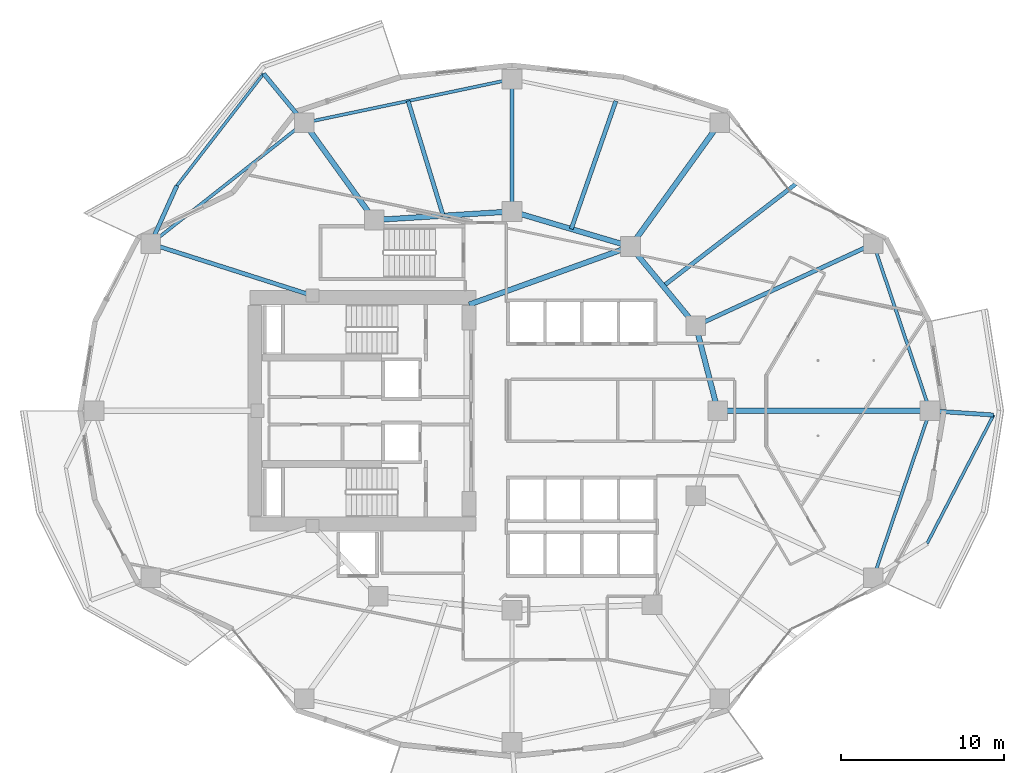
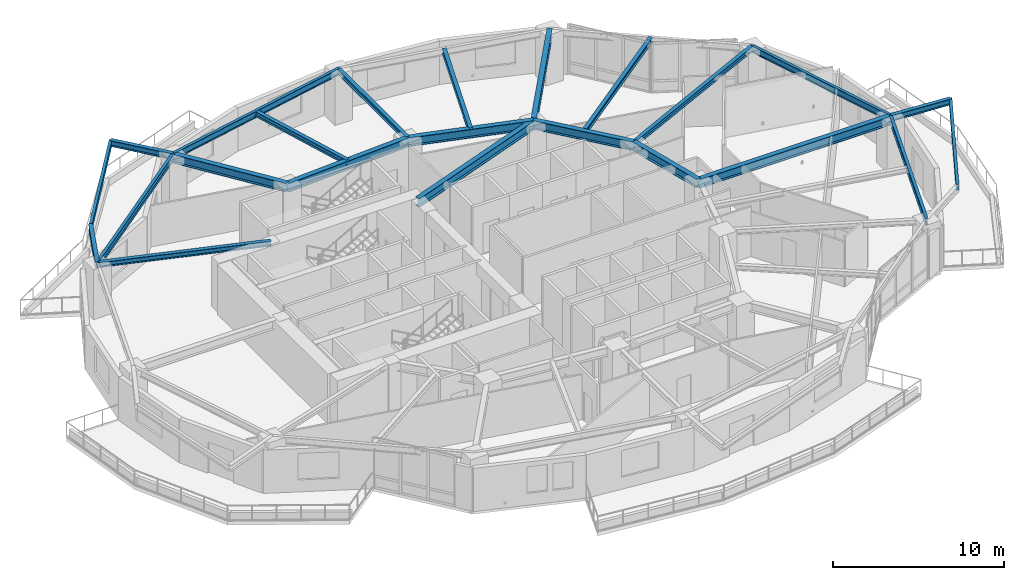
# One storey, part 5 of 18: 23 beams.
"""IFC4 building model written with IfcOpenShell, lengths in metres."""

from ifc_helpers import new_model, si_unit, direction, frame, origin, origin_2d, place, context, subcontext, project, spatial, i_section, extrude, material, material_profile, profile_set, type_object, element, save


model = new_model("IFC4")

# Units and contexts
model_context = context("Model", 3, precision=1e-05, world=origin(), true_north=direction((0.0, 1.0)))
body_context = subcontext(model_context, "Body", "Model", "MODEL_VIEW")
ifc_project = project(units=[si_unit("LENGTHUNIT", "METRE"), si_unit("AREAUNIT", "SQUARE_METRE"), si_unit("VOLUMEUNIT", "CUBIC_METRE"), si_unit("PLANEANGLEUNIT", "RADIAN"), si_unit("MASSUNIT", "GRAM", prefix="KILO")], contexts=[model_context])

# Site, building, storey
site_placement = place(None, origin())
site = spatial("IfcSite", under=ifc_project, at=site_placement, CompositionType="ELEMENT")
building_placement = place(site_placement, origin())
building = spatial("IfcBuilding", under=site, at=building_placement, Name="Kolvaren Gate Tower and Convention Centre", CompositionType="ELEMENT")
storey_placement = place(building_placement, frame((0.0, 0.0, 61.14990234375)))
storey = spatial("IfcBuildingStorey", under=building, at=storey_placement, Name="L14", CompositionType="ELEMENT", Elevation=61.14990234375)

# Beams
ifc_material = material(Name="Structural steel ASTM A992 Grade 345 MPa", Category="steel")
ifc_material_profile_1 = material_profile(ifc_material, i_section(OverallWidth=0.260009765625, OverallDepth=0.419921875, WebThickness=0.013427734375, FlangeThickness=0.0224609375, at=origin_2d()), Name="W410X132")
ifc_profile_set_1 = profile_set([ifc_material_profile_1], Name="Structural steel ASTM A992 Grade 345 MPa")
beam_type_1 = type_object("IfcBeamType", Name="STR-BM-W410X132", PredefinedType="BEAM", material=ifc_profile_set_1)
beam_1_placement = place(storey_placement, frame((17.40380859375, 44.627197265625, 3.360595703125), z_axis=(-0.637082027361, 0.770796010896, 0.0), x_axis=(-0.770796010896, -0.637082027361, 0.0)))
element("IfcBeam", 1, at=beam_1_placement, inside=storey, type_object=beam_type_1, Name="Tower L15 Planted Balcony Outrigger Cantilever BC-1A", PredefinedType="BEAM", context=body_context, shape_type="SweptSolid", body=[
    extrude(i_section(OverallWidth=0.260009765625, OverallDepth=0.419921875, WebThickness=0.013427734375, FlangeThickness=0.0224609375, at=origin_2d()), origin(), (0.0, 0.0, 1.0), 3.89990234375),
])
for number, where, z_axis, x_axis, name in (
    (2, (8.001220703125, 37.218505859375, 3.360595703125), (0.411967423592, 0.911198574351, 0.0), (-0.911198574351, 0.411967423592, 0.0), "Tower L15 Planted Balcony Outrigger Cantilever BC-1B"),
    (3, (55.71240234375, 27.0, 3.360595703125), (0.997745931522, -0.067104814517, 0.0), (0.067104814517, 0.997745931522, 0.0), "Tower L15 Planted Balcony Outrigger Cantilever BC-4B"),
):
    element("IfcBeam", number, at=place(storey_placement, frame(where, z_axis=z_axis, x_axis=x_axis)), inside=storey, type_object=beam_type_1, Name=name, PredefinedType="BEAM", context=body_context, shape_type="SweptSolid", body=[
        extrude(i_section(OverallWidth=0.260009765625, OverallDepth=0.419921875, WebThickness=0.013427734375, FlangeThickness=0.0224609375, at=origin_2d()), origin(), (0.0, 0.0, 1.0), 3.900146484375),
    ])
ifc_material_profile_2 = material_profile(ifc_material, i_section(OverallWidth=0.327880859375, OverallDepth=0.6279296875, WebThickness=0.0166015625, FlangeThickness=0.027587890625, at=origin_2d()), Name="W610X217")
ifc_profile_set_2 = profile_set([ifc_material_profile_2], Name="Structural steel ASTM A992 Grade 345 MPa")
beam_type_2 = type_object("IfcBeamType", Name="STR-BM-W610X217", PredefinedType="BEAM", material=ifc_profile_set_2)
beam_2_placement = place(storey_placement, frame((41.382080078125, 32.199462890625, 3.256103515625), z_axis=(-0.635884066011, 0.771784590798, 0.0), x_axis=(-0.771784590798, -0.635884066011, 0.0)))
element("IfcBeam", 4, at=beam_2_placement, inside=storey, type_object=beam_type_2, Name="Tower L14 Primary Ring Girder G-02", PredefinedType="BEAM", context=body_context, shape_type="SweptSolid", body=[
    extrude(i_section(OverallWidth=0.327880859375, OverallDepth=0.6279296875, WebThickness=0.0166015625, FlangeThickness=0.027587890625, at=origin_2d()), origin(), (0.0, 0.0, 1.0), 6.291259765625),
])
beam_3_placement = place(storey_placement, frame((37.381591796875, 37.054931640625, 3.256103515625), z_axis=(-0.958980837827, 0.283470902706, 0.0), x_axis=(-0.283470902706, -0.958980837827, 0.0)))
element("IfcBeam", 5, at=beam_3_placement, inside=storey, type_object=beam_type_2, Name="Tower L14 Primary Ring Girder G-03", PredefinedType="BEAM", context=body_context, shape_type="SweptSolid", body=[
    extrude(i_section(OverallWidth=0.327880859375, OverallDepth=0.6279296875, WebThickness=0.0166015625, FlangeThickness=0.027587890625, at=origin_2d()), origin(), (0.0, 0.0, 1.0), 7.56689453125),
])
beam_4_placement = place(storey_placement, frame((30.125, 39.199951171875, 3.256103515625), z_axis=(-0.998078258568, -0.06196603726, 0.0), x_axis=(0.06196603726, -0.998078258568, 0.0)))
element("IfcBeam", 6, at=beam_4_placement, inside=storey, type_object=beam_type_2, Name="Tower L14 Primary Ring Girder G-04", PredefinedType="BEAM", context=body_context, shape_type="SweptSolid", body=[
    extrude(i_section(OverallWidth=0.327880859375, OverallDepth=0.6279296875, WebThickness=0.0166015625, FlangeThickness=0.027587890625, at=origin_2d()), origin(), (0.0, 0.0, 1.0), 8.443115234375),
])
beam_5_placement = place(storey_placement, frame((27.5, 33.5, 3.256103515625), z_axis=(0.940961479908, 0.338513653093, 0.0), x_axis=(-0.338513653093, 0.940961479908, 0.0)))
element("IfcBeam", 7, at=beam_5_placement, inside=storey, type_object=beam_type_2, Name="Tower L14 Primary Ring Girder G-10", PredefinedType="BEAM", context=body_context, shape_type="SweptSolid", body=[
    extrude(i_section(OverallWidth=0.327880859375, OverallDepth=0.6279296875, WebThickness=0.0166015625, FlangeThickness=0.027587890625, at=origin_2d()), origin(), (0.0, 0.0, 1.0), 10.501708984375),
])
beam_6_placement = place(storey_placement, frame((42.72509765625, 27.0, 3.256103515625), z_axis=(-0.250091133936, 0.968222301296, 0.0), x_axis=(-0.968222301296, -0.250091133936, 0.0)))
element("IfcBeam", 8, at=beam_6_placement, inside=storey, type_object=beam_type_2, Name="Tower L14 Primary Ring Girder G-12", PredefinedType="BEAM", context=body_context, shape_type="SweptSolid", body=[
    extrude(i_section(OverallWidth=0.327880859375, OverallDepth=0.6279296875, WebThickness=0.0166015625, FlangeThickness=0.027587890625, at=origin_2d()), origin(), (0.0, 0.0, 1.0), 5.3701171875),
])
beam_7_placement = place(storey_placement, frame((42.72509765625, 27.0, 3.256103515625), z_axis=(1.0, 0.0, 0.0), x_axis=(0.0, 1.0, 0.0)))
element("IfcBeam", 9, at=beam_7_placement, inside=storey, type_object=beam_type_2, Name="Tower L14 Radial Floor Girder RB-01", PredefinedType="BEAM", context=body_context, shape_type="SweptSolid", body=[
    extrude(i_section(OverallWidth=0.327880859375, OverallDepth=0.6279296875, WebThickness=0.0166015625, FlangeThickness=0.027587890625, at=origin_2d()), origin(), (0.0, 0.0, 1.0), 12.9873046875),
])
beam_8_placement = place(storey_placement, frame((37.381591796875, 37.054931640625, 3.256103515625), z_axis=(0.585207971848, 0.810883240477, 0.0), x_axis=(-0.810883240477, 0.585207971848, 0.0)))
element("IfcBeam", 10, at=beam_8_placement, inside=storey, type_object=beam_type_2, Name="Tower L14 Radial Floor Girder RB-03", PredefinedType="BEAM", context=body_context, shape_type="SweptSolid", body=[
    extrude(i_section(OverallWidth=0.327880859375, OverallDepth=0.6279296875, WebThickness=0.0166015625, FlangeThickness=0.027587890625, at=origin_2d()), origin(), (0.0, 0.0, 1.0), 9.33837890625),
])
beam_9_placement = place(storey_placement, frame((21.697998046875, 38.6767578125, 3.256103515625), z_axis=(-0.585190474102, 0.810895868173, 0.0), x_axis=(-0.810895868173, -0.585190474102, 0.0)))
element("IfcBeam", 11, at=beam_9_placement, inside=storey, type_object=beam_type_2, Name="Tower L14 Radial Floor Girder RB-05", PredefinedType="BEAM", context=body_context, shape_type="SweptSolid", body=[
    extrude(i_section(OverallWidth=0.327880859375, OverallDepth=0.6279296875, WebThickness=0.0166015625, FlangeThickness=0.027587890625, at=origin_2d()), origin(), (0.0, 0.0, 1.0), 7.338134765625),
])
ifc_material_profile_3 = material_profile(ifc_material, i_section(OverallWidth=0.2548828125, OverallDepth=0.35693359375, WebThickness=0.010498046875, FlangeThickness=0.018310546875, at=origin_2d()), Name="W360X101")
ifc_profile_set_3 = profile_set([ifc_material_profile_3], Name="Structural steel ASTM A992 Grade 345 MPa")
beam_type_3 = type_object("IfcBeamType", Name="STR-JS-W360X101", PredefinedType="JOIST", material=ifc_profile_set_3)
beam_10_placement = place(storey_placement, frame((41.382080078125, 32.199462890625, 3.3916015625), z_axis=(0.907843538102, 0.419309086864, 0.0), x_axis=(-0.419309086864, 0.907843538102, 0.0)))
element("IfcBeam", 12, at=beam_10_placement, inside=storey, type_object=beam_type_3, Name="Tower L14 Radial Floor Girder RB-02", PredefinedType="JOIST", context=body_context, shape_type="SweptSolid", body=[
    extrude(i_section(OverallWidth=0.2548828125, OverallDepth=0.35693359375, WebThickness=0.010498046875, FlangeThickness=0.018310546875, at=origin_2d()), origin(), (0.0, 0.0, 1.0), 11.9697265625),
])
beam_11_placement = place(storey_placement, frame((30.125, 39.199951171875, 3.3916015625), z_axis=(0.0, 1.0, 0.0), x_axis=(-1.0, 0.0, 0.0)))
element("IfcBeam", 13, at=beam_11_placement, inside=storey, type_object=beam_type_3, Name="Tower L14 Radial Floor Girder RB-04", PredefinedType="JOIST", context=body_context, shape_type="SweptSolid", body=[
    extrude(i_section(OverallWidth=0.2548828125, OverallDepth=0.35693359375, WebThickness=0.010498046875, FlangeThickness=0.018310546875, at=origin_2d()), origin(), (0.0, 0.0, 1.0), 8.10009765625),
])
beam_12_placement = place(storey_placement, frame((17.9140625, 34.050048828125, 3.3916015625), z_axis=(-0.952525967456, 0.304457355507, 0.0), x_axis=(-0.304457355507, -0.952525967456, 0.0)))
element("IfcBeam", 14, at=beam_12_placement, inside=storey, type_object=beam_type_3, Name="Tower L14 Radial Floor Girder RB-06", PredefinedType="JOIST", context=body_context, shape_type="SweptSolid", body=[
    extrude(i_section(OverallWidth=0.2548828125, OverallDepth=0.35693359375, WebThickness=0.010498046875, FlangeThickness=0.018310546875, at=origin_2d()), origin(), (0.0, 0.0, 1.0), 10.406982421875),
])
beam_13_placement = place(storey_placement, frame((39.3818359375, 34.627197265625, 3.3916015625), z_axis=(0.791953664744, 0.610581192716, 0.0), x_axis=(-0.610581192716, 0.791953664744, 0.0)))
element("IfcBeam", 15, at=beam_13_placement, inside=storey, type_object=beam_type_3, Name="Tower L14 Secondary Composite Floor Joist J-02.1", PredefinedType="JOIST", context=body_context, shape_type="SweptSolid", body=[
    extrude(i_section(OverallWidth=0.2548828125, OverallDepth=0.35693359375, WebThickness=0.010498046875, FlangeThickness=0.018310546875, at=origin_2d()), origin(), (0.0, 0.0, 1.0), 10.31103515625),
])
beam_14_placement = place(storey_placement, frame((33.75341796875, 38.12744140625, 3.3916015625), z_axis=(0.329233693857, 0.944248470917, 0.0), x_axis=(-0.944248470917, 0.329233693857, 0.0)))
element("IfcBeam", 16, at=beam_14_placement, inside=storey, type_object=beam_type_3, Name="Tower L14 Secondary Composite Floor Joist J-03.1", PredefinedType="JOIST", context=body_context, shape_type="SweptSolid", body=[
    extrude(i_section(OverallWidth=0.2548828125, OverallDepth=0.35693359375, WebThickness=0.010498046875, FlangeThickness=0.018310546875, at=origin_2d()), origin(), (0.0, 0.0, 1.0), 8.298583984375),
])
beam_15_placement = place(storey_placement, frame((25.91162109375, 38.938232421875, 3.3916015625), z_axis=(-0.292298748053, 0.956327058012, 0.0), x_axis=(-0.956327058012, -0.292298748053, 0.0)))
element("IfcBeam", 17, at=beam_15_placement, inside=storey, type_object=beam_type_3, Name="Tower L14 Secondary Composite Floor Joist J-04.1", PredefinedType="JOIST", context=body_context, shape_type="SweptSolid", body=[
    extrude(i_section(OverallWidth=0.2548828125, OverallDepth=0.35693359375, WebThickness=0.010498046875, FlangeThickness=0.018310546875, at=origin_2d()), origin(), (0.0, 0.0, 1.0), 7.345947265625),
])
ifc_material_profile_4 = material_profile(ifc_material, i_section(OverallWidth=0.180908203125, OverallDepth=0.4169921875, WebThickness=0.010986328125, FlangeThickness=0.018310546875, at=origin_2d()), Name="W410X85")
ifc_profile_set_4 = profile_set([ifc_material_profile_4], Name="Structural steel ASTM A992 Grade 345 MPa")
beam_type_4 = type_object("IfcBeamType", Name="STR-SP-W410X85", PredefinedType="SPANDREL", material=ifc_profile_set_4)
beam_16_placement = place(storey_placement, frame((14.919189453125, 47.63330078125, 3.362060546875), z_axis=(-0.61213516889, -0.790753144166, 0.0), x_axis=(0.790753144166, -0.61213516889, 0.0)))
element("IfcBeam", 18, at=beam_16_placement, inside=storey, type_object=beam_type_4, Name="Tower L15 Planted Balcony Header Tie Beam BT-1", PredefinedType="SPANDREL", context=body_context, shape_type="SweptSolid", body=[
    extrude(i_section(OverallWidth=0.180908203125, OverallDepth=0.4169921875, WebThickness=0.010986328125, FlangeThickness=0.018310546875, at=origin_2d()), origin(), (0.0, 0.0, 1.0), 8.6767578125),
])
beam_17_placement = place(storey_placement, frame((55.53857421875, 18.8759765625, 3.362060546875), z_axis=(0.459287093639, 0.888287884425, 0.0), x_axis=(-0.888287884425, 0.459287093639, 0.0)))
element("IfcBeam", 19, at=beam_17_placement, inside=storey, type_object=beam_type_4, Name="Tower L15 Planted Balcony Header Tie Beam BT-4", PredefinedType="SPANDREL", context=body_context, shape_type="SweptSolid", body=[
    extrude(i_section(OverallWidth=0.180908203125, OverallDepth=0.4169921875, WebThickness=0.010986328125, FlangeThickness=0.018310546875, at=origin_2d()), origin(), (0.0, 0.0, 1.0), 8.85107421875),
])
ifc_material_profile_5 = material_profile(ifc_material, i_section(OverallWidth=0.194091796875, OverallDepth=0.468994140625, WebThickness=0.0126953125, FlangeThickness=0.0205078125, at=origin_2d()), Name="W460X106")
ifc_profile_set_5 = profile_set([ifc_material_profile_5], Name="Structural steel ASTM A992 Grade 345 MPa")
beam_type_5 = type_object("IfcBeamType", Name="STR-SP-W460X106", PredefinedType="SPANDREL", material=ifc_profile_set_5)
beam_18_placement = place(storey_placement, frame((55.71240234375, 27.0, 3.335693359375), z_axis=(-0.321016233787, 0.947073691771, 0.0), x_axis=(-0.947073691771, -0.321016233787, 0.0)))
element("IfcBeam", 20, at=beam_18_placement, inside=storey, type_object=beam_type_5, Name="Tower L14 Perimeter Spandrel Beam SP-01", PredefinedType="SPANDREL", context=body_context, shape_type="SweptSolid", body=[
    extrude(i_section(OverallWidth=0.194091796875, OverallDepth=0.468994140625, WebThickness=0.0126953125, FlangeThickness=0.0205078125, at=origin_2d()), origin(), (0.0, 0.0, 1.0), 10.78955078125),
])
beam_19_placement = place(storey_placement, frame((30.125, 47.300048828125, 3.335693359375), z_axis=(-0.97863180809, -0.205620485836, 0.0), x_axis=(0.205620485836, -0.97863180809, 0.0)))
element("IfcBeam", 21, at=beam_19_placement, inside=storey, type_object=beam_type_5, Name="Tower L14 Perimeter Spandrel Beam SP-04", PredefinedType="SPANDREL", context=body_context, shape_type="SweptSolid", body=[
    extrude(i_section(OverallWidth=0.194091796875, OverallDepth=0.468994140625, WebThickness=0.0126953125, FlangeThickness=0.0205078125, at=origin_2d()), origin(), (0.0, 0.0, 1.0), 12.9990234375),
])
beam_20_placement = place(storey_placement, frame((17.40380859375, 44.627197265625, 3.335693359375), z_axis=(-0.785467636887, -0.618902731778, 0.0), x_axis=(0.618902731778, -0.785467636887, 0.0)))
element("IfcBeam", 22, at=beam_20_placement, inside=storey, type_object=beam_type_5, Name="Tower L14 Perimeter Spandrel Beam SP-05", PredefinedType="SPANDREL", context=body_context, shape_type="SweptSolid", body=[
    extrude(i_section(OverallWidth=0.194091796875, OverallDepth=0.468994140625, WebThickness=0.0126953125, FlangeThickness=0.0205078125, at=origin_2d()), origin(), (0.0, 0.0, 1.0), 11.970703125),
])
beam_21_placement = place(storey_placement, frame((52.248779296875, 16.781494140625, 3.335693359375), z_axis=(0.321016233787, 0.947073691771, 0.0), x_axis=(-0.947073691771, 0.321016233787, 0.0)))
element("IfcBeam", 23, at=beam_21_placement, inside=storey, type_object=beam_type_5, Name="Tower L14 Perimeter Spandrel Beam SP-12", PredefinedType="SPANDREL", context=body_context, shape_type="SweptSolid", body=[
    extrude(i_section(OverallWidth=0.194091796875, OverallDepth=0.468994140625, WebThickness=0.0126953125, FlangeThickness=0.0205078125, at=origin_2d()), origin(), (0.0, 0.0, 1.0), 10.78955078125),
])

save(model, "model.ifc")
